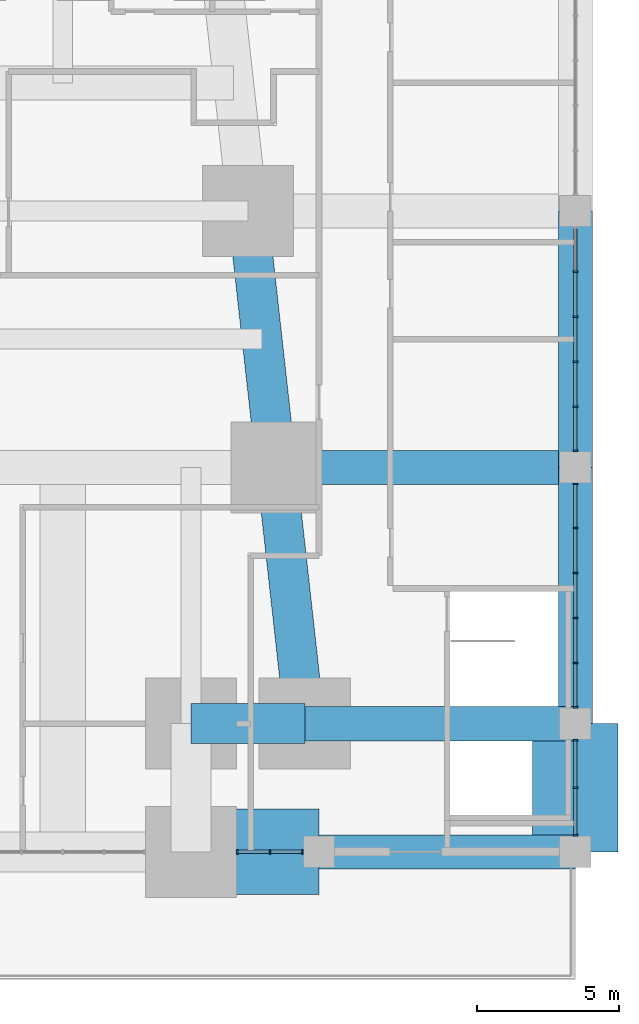
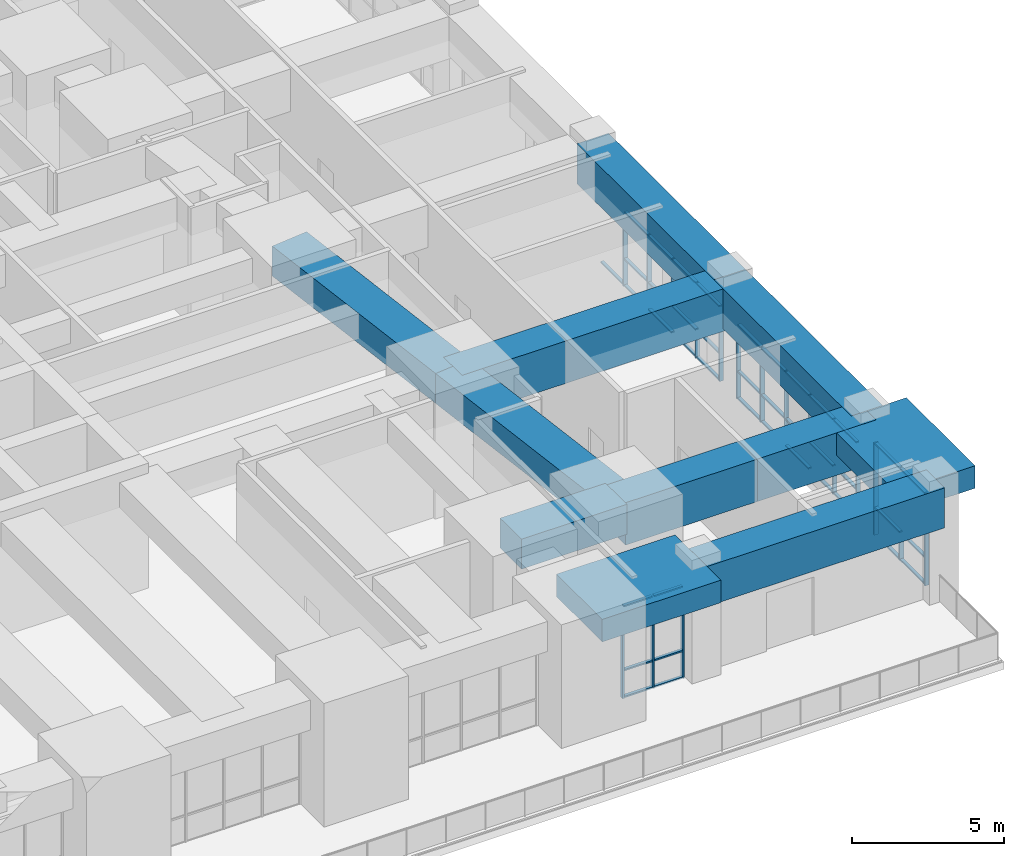
# One storey, part 11 of 22: 57 members, 11 beams, 4 elements without a shape of their own.
"""IFC4 building model written with IfcOpenShell, lengths in metres."""

from ifc_helpers import new_model, si_unit, direction, frame, origin, origin_2d, place, context, subcontext, project, spatial, rectangle, extrude, material, material_profile, profile_set, type_object, element, aggregate, save


model = new_model("IFC4")

# Units and contexts
model_context = context("Model", 3, precision=1e-05, world=origin(), true_north=direction((0.0, 1.0)))
body_context = subcontext(model_context, "Body", "Model", "MODEL_VIEW")
ifc_project = project(units=[si_unit("LENGTHUNIT", "METRE"), si_unit("AREAUNIT", "SQUARE_METRE"), si_unit("VOLUMEUNIT", "CUBIC_METRE"), si_unit("PLANEANGLEUNIT", "RADIAN"), si_unit("MASSUNIT", "GRAM", prefix="KILO")], contexts=[model_context])

# Site, building, storey
site_placement = place(None, origin())
site = spatial("IfcSite", under=ifc_project, at=site_placement, CompositionType="ELEMENT")
building_placement = place(site_placement, origin())
building = spatial("IfcBuilding", under=site, at=building_placement, Name="Kilele Tower Hotel", CompositionType="ELEMENT")
storey_placement = place(building_placement, frame((0.0, 0.0, 19.0)))
storey = spatial("IfcBuildingStorey", under=building, at=storey_placement, Name="L03", CompositionType="ELEMENT", Elevation=19.0)

# Beams
ifc_material_1 = material(Name="Concrete C60/75", Category="concrete")
ifc_material_profile_1 = material_profile(ifc_material_1, rectangle(XDim=1.199951171875, YDim=1.60009765625, at=origin_2d()))
ifc_profile_set_1 = profile_set([ifc_material_profile_1], Name="Concrete C60/75")
beam_type_1 = type_object("IfcBeamType", Name="Beam RC 1200x1600 C60/75", PredefinedType="BEAM", material=ifc_profile_set_1)
for number, where, z_axis, x_axis, name in (
    (1, (58.5, 4.5, 3.800048828125), (0.0, 1.0, 0.0), (-1.0, 0.0, 0.0), "Beam PB2 level L04"),
    (2, (58.5, 13.5, 3.800048828125), (0.0, 1.0, 0.0), (-1.0, 0.0, 0.0), "Beam PB2 level L04"),
    (3, (49.5, 0.0, 3.800048828125), (1.0, 0.0, 0.0), (0.0, 1.0, 0.0), "Beam PB2 level L04"),
):
    element("IfcBeam", number, at=place(storey_placement, frame(where, z_axis=z_axis, x_axis=x_axis)), inside=storey, type_object=beam_type_1, Name=name, PredefinedType="BEAM", context=body_context, shape_type="SweptSolid", body=[
        extrude(rectangle(XDim=1.199951171875, YDim=1.60009765625, at=origin_2d()), origin(), (0.0, 0.0, 1.0), 9.0),
    ])
ifc_material_2 = material(Name="Concrete C60/75", Category="concrete")
ifc_material_profile_2 = material_profile(ifc_material_2, rectangle(XDim=1.199951171875, YDim=1.699951171875, at=origin_2d()))
ifc_profile_set_2 = profile_set([ifc_material_profile_2], Name="Concrete C60/75")
beam_type_2 = type_object("IfcBeamType", Name="Beam RC 1200x1700 C60/75 mid span", PredefinedType="BEAM", material=ifc_profile_set_2)
beam_1_placement = place(storey_placement, frame((48.0, 13.5, 3.75), z_axis=(1.0, 0.0, 0.0), x_axis=(0.0, 1.0, 0.0)))
element("IfcBeam", 4, at=beam_1_placement, inside=storey, type_object=beam_type_2, Name="Beam PB4 level L04", PredefinedType="BEAM", context=body_context, shape_type="SweptSolid", body=[
    extrude(rectangle(XDim=1.199951171875, YDim=1.699951171875, at=origin_2d()), origin(), (0.0, 0.0, 1.0), 10.5),
])
ifc_material_3 = material(Name="Concrete C60/75", Category="concrete")
ifc_material_profile_3 = material_profile(ifc_material_3, rectangle(XDim=1.199951171875, YDim=1.699951171875, at=origin_2d()))
ifc_profile_set_3 = profile_set([ifc_material_profile_3], Name="Concrete C60/75")
beam_type_3 = type_object("IfcBeamType", Name="Beam RC 1200x1700 C60/75 short span", PredefinedType="BEAM", material=ifc_profile_set_3)
beam_2_placement = place(storey_placement, frame((49.0, 4.5, 3.75), z_axis=(1.0, 0.0, 0.0), x_axis=(0.0, 1.0, 0.0)))
element("IfcBeam", 5, at=beam_2_placement, inside=storey, type_object=beam_type_3, Name="Beam PB5 level L04", PredefinedType="BEAM", context=body_context, shape_type="SweptSolid", body=[
    extrude(rectangle(XDim=1.199951171875, YDim=1.699951171875, at=origin_2d()), origin(), (0.0, 0.0, 1.0), 5.0),
])
beam_3_placement = place(storey_placement, frame((54.0, 4.5, 3.75), z_axis=(1.0, 0.0, 0.0), x_axis=(0.0, 1.0, 0.0)))
element("IfcBeam", 6, at=beam_3_placement, inside=storey, type_object=beam_type_3, Name="Beam PB5 level L04", PredefinedType="BEAM", context=body_context, shape_type="SweptSolid", body=[
    extrude(rectangle(XDim=1.199951171875, YDim=1.699951171875, at=origin_2d()), origin(), (0.0, 0.0, 1.0), 4.5),
])
ifc_material_4 = material(Name="Concrete C60/75", Category="concrete")
ifc_material_profile_4 = material_profile(ifc_material_4, rectangle(XDim=3.0, YDim=0.89990234375, at=origin_2d()))
ifc_profile_set_4 = profile_set([ifc_material_profile_4], Name="Concrete C60/75")
beam_type_4 = type_object("IfcBeamType", Name="Beam RC 3000x900 C60/75", PredefinedType="BEAM", material=ifc_profile_set_4)
for number, where, z_axis, x_axis, name in (
    (7, (45.0, 0.0, 4.14990234375), (1.0, 0.0, 0.0), (0.0, 1.0, 0.0), "Beam PB1 level L04"),
    (8, (58.5, 0.0, 4.14990234375), (0.0, 1.0, 0.0), (-1.0, 0.0, 0.0), "Beam PB1 level L04"),
):
    element("IfcBeam", number, at=place(storey_placement, frame(where, z_axis=z_axis, x_axis=x_axis)), inside=storey, type_object=beam_type_4, Name=name, PredefinedType="BEAM", context=body_context, shape_type="SweptSolid", body=[
        extrude(rectangle(XDim=3.0, YDim=0.89990234375, at=origin_2d()), origin(), (0.0, 0.0, 1.0), 4.5),
    ])

# Curtain wall, members
ifc_material_5 = material(Name="Aluminium curtain wall, clear double glazing", Category="aluminium")
curtain_wall_type_1 = type_object("IfcCurtainWallType", Name="Podium curtain wall CW-1", PredefinedType="NOTDEFINED", material=ifc_material_5)
curtain_wall_1_placement = place(storey_placement, origin())
curtain_wall_1 = element("IfcCurtainWall", 9, at=curtain_wall_1_placement, inside=storey, type_object=curtain_wall_type_1, Name="Podium curtain wall CW-1 L03", PredefinedType="NOTDEFINED")
ifc_material_6 = material(Name="Aluminium EN AW-6063 T6", Category="aluminium")
ifc_material_profile_5 = material_profile(ifc_material_6, rectangle(XDim=0.159912109375, YDim=0.06005859375, at=origin_2d()))
ifc_profile_set_5 = profile_set([ifc_material_profile_5], Name="Aluminium EN AW-6063 T6")
member_type_1 = type_object("IfcMemberType", Name="Mullion 60x160 CW-1", PredefinedType="MULLION", material=ifc_profile_set_5)
member_1_placement = place(storey_placement, frame((46.6298828125, 0.0, 0.0), z_axis=(0.0, 0.0, 1.0), x_axis=(0.0, 1.0, 0.0)))
member_1 = element("IfcMember", 10, at=member_1_placement, type_object=member_type_1, Name="CW-1 mullion 1", PredefinedType="MULLION", context=body_context, shape_type="SweptSolid", body=[
    extrude(rectangle(XDim=0.159912109375, YDim=0.06005859375, at=origin_2d()), origin(), (0.0, 0.0, 1.0), 3.699951171875),
])
member_2_placement = place(storey_placement, frame((47.77490234375, 0.0, 0.0), z_axis=(0.0, 0.0, 1.0), x_axis=(0.0, 1.0, 0.0)))
member_2 = element("IfcMember", 11, at=member_2_placement, type_object=member_type_1, Name="CW-1 mullion 2", PredefinedType="MULLION", context=body_context, shape_type="SweptSolid", body=[
    extrude(rectangle(XDim=0.159912109375, YDim=0.06005859375, at=origin_2d()), origin(), (0.0, 0.0, 1.0), 3.699951171875),
])
member_3_placement = place(storey_placement, frame((48.919921875, 0.0, 0.0), z_axis=(0.0, 0.0, 1.0), x_axis=(0.0, 1.0, 0.0)))
member_3 = element("IfcMember", 12, at=member_3_placement, type_object=member_type_1, Name="CW-1 mullion 3", PredefinedType="MULLION", context=body_context, shape_type="SweptSolid", body=[
    extrude(rectangle(XDim=0.159912109375, YDim=0.06005859375, at=origin_2d()), origin(), (0.0, 0.0, 1.0), 3.699951171875),
])

ifc_material_7 = material(Name="Aluminium curtain wall, clear double glazing", Category="aluminium")
curtain_wall_type_2 = type_object("IfcCurtainWallType", Name="Podium side curtain wall CW-2", PredefinedType="NOTDEFINED", material=ifc_material_7)
curtain_wall_2_placement = place(storey_placement, origin())
curtain_wall_2 = element("IfcCurtainWall", 13, at=curtain_wall_2_placement, inside=storey, type_object=curtain_wall_type_2, Name="Podium side curtain wall CW-2 L03", PredefinedType="NOTDEFINED")
ifc_material_8 = material(Name="Aluminium EN AW-6063 T6", Category="aluminium")
ifc_material_profile_6 = material_profile(ifc_material_8, rectangle(XDim=0.159912109375, YDim=0.06005859375, at=origin_2d()))
ifc_profile_set_6 = profile_set([ifc_material_profile_6], Name="Aluminium EN AW-6063 T6")
member_type_2 = type_object("IfcMemberType", Name="Mullion 60x160 CW-2", PredefinedType="MULLION", material=ifc_profile_set_6)
member_4_placement = place(storey_placement, frame((58.5, 0.580078125, 0.0), z_axis=(0.0, 0.0, 1.0), x_axis=(-1.0, 0.0, 0.0)))
member_4 = element("IfcMember", 14, at=member_4_placement, type_object=member_type_2, Name="CW-2 mullion 1", PredefinedType="MULLION", context=body_context, shape_type="SweptSolid", body=[
    extrude(rectangle(XDim=0.159912109375, YDim=0.06005859375, at=origin_2d()), origin(), (0.0, 0.0, 1.0), 3.699951171875),
])
member_5_placement = place(storey_placement, frame((58.5, 2.25, 0.0), z_axis=(0.0, 0.0, 1.0), x_axis=(-1.0, 0.0, 0.0)))
member_5 = element("IfcMember", 15, at=member_5_placement, type_object=member_type_2, Name="CW-2 mullion 2", PredefinedType="MULLION", context=body_context, shape_type="SweptSolid", body=[
    extrude(rectangle(XDim=0.159912109375, YDim=0.06005859375, at=origin_2d()), origin(), (0.0, 0.0, 1.0), 3.699951171875),
])
member_6_placement = place(storey_placement, frame((58.5, 3.919921875, 0.0), z_axis=(0.0, 0.0, 1.0), x_axis=(-1.0, 0.0, 0.0)))
member_6 = element("IfcMember", 16, at=member_6_placement, type_object=member_type_2, Name="CW-2 mullion 3", PredefinedType="MULLION", context=body_context, shape_type="SweptSolid", body=[
    extrude(rectangle(XDim=0.159912109375, YDim=0.06005859375, at=origin_2d()), origin(), (0.0, 0.0, 1.0), 3.699951171875),
])

curtain_wall_3_placement = place(storey_placement, origin())
curtain_wall_3 = element("IfcCurtainWall", 17, at=curtain_wall_3_placement, inside=storey, type_object=curtain_wall_type_2, Name="Podium side curtain wall CW-2 L03", PredefinedType="NOTDEFINED")
member_7_placement = place(storey_placement, frame((58.5, 5.080078125, 0.0), z_axis=(0.0, 0.0, 1.0), x_axis=(-1.0, 0.0, 0.0)))
member_7 = element("IfcMember", 18, at=member_7_placement, type_object=member_type_2, Name="CW-2 mullion 1", PredefinedType="MULLION", context=body_context, shape_type="SweptSolid", body=[
    extrude(rectangle(XDim=0.159912109375, YDim=0.06005859375, at=origin_2d()), origin(), (0.0, 0.0, 1.0), 3.0),
])
member_8_placement = place(storey_placement, frame((58.5, 6.6298828125, 0.0), z_axis=(0.0, 0.0, 1.0), x_axis=(-1.0, 0.0, 0.0)))
member_8 = element("IfcMember", 19, at=member_8_placement, type_object=member_type_2, Name="CW-2 mullion 2", PredefinedType="MULLION", context=body_context, shape_type="SweptSolid", body=[
    extrude(rectangle(XDim=0.159912109375, YDim=0.06005859375, at=origin_2d()), origin(), (0.0, 0.0, 1.0), 3.0),
])
member_9_placement = place(storey_placement, frame((58.5, 8.2099609375, 0.0), z_axis=(0.0, 0.0, 1.0), x_axis=(-1.0, 0.0, 0.0)))
member_9 = element("IfcMember", 20, at=member_9_placement, type_object=member_type_2, Name="CW-2 mullion 3", PredefinedType="MULLION", context=body_context, shape_type="SweptSolid", body=[
    extrude(rectangle(XDim=0.159912109375, YDim=0.06005859375, at=origin_2d()), origin(), (0.0, 0.0, 1.0), 3.0),
])
member_10_placement = place(storey_placement, frame((58.5, 9.7900390625, 0.0), z_axis=(0.0, 0.0, 1.0), x_axis=(-1.0, 0.0, 0.0)))
member_10 = element("IfcMember", 21, at=member_10_placement, type_object=member_type_2, Name="CW-2 mullion 4", PredefinedType="MULLION", context=body_context, shape_type="SweptSolid", body=[
    extrude(rectangle(XDim=0.159912109375, YDim=0.06005859375, at=origin_2d()), origin(), (0.0, 0.0, 1.0), 3.0),
])
member_11_placement = place(storey_placement, frame((58.5, 11.3701171875, 0.0), z_axis=(0.0, 0.0, 1.0), x_axis=(-1.0, 0.0, 0.0)))
member_11 = element("IfcMember", 22, at=member_11_placement, type_object=member_type_2, Name="CW-2 mullion 5", PredefinedType="MULLION", context=body_context, shape_type="SweptSolid", body=[
    extrude(rectangle(XDim=0.159912109375, YDim=0.06005859375, at=origin_2d()), origin(), (0.0, 0.0, 1.0), 3.0),
])
member_12_placement = place(storey_placement, frame((58.5, 12.919921875, 0.0), z_axis=(0.0, 0.0, 1.0), x_axis=(-1.0, 0.0, 0.0)))
member_12 = element("IfcMember", 23, at=member_12_placement, type_object=member_type_2, Name="CW-2 mullion 6", PredefinedType="MULLION", context=body_context, shape_type="SweptSolid", body=[
    extrude(rectangle(XDim=0.159912109375, YDim=0.06005859375, at=origin_2d()), origin(), (0.0, 0.0, 1.0), 3.0),
])

curtain_wall_4_placement = place(storey_placement, origin())
curtain_wall_4 = element("IfcCurtainWall", 24, at=curtain_wall_4_placement, inside=storey, type_object=curtain_wall_type_2, Name="Podium side curtain wall CW-2 L03", PredefinedType="NOTDEFINED")
member_13_placement = place(storey_placement, frame((58.5, 14.080078125, 0.0), z_axis=(0.0, 0.0, 1.0), x_axis=(-1.0, 0.0, 0.0)))
member_13 = element("IfcMember", 25, at=member_13_placement, type_object=member_type_2, Name="CW-2 mullion 1", PredefinedType="MULLION", context=body_context, shape_type="SweptSolid", body=[
    extrude(rectangle(XDim=0.159912109375, YDim=0.06005859375, at=origin_2d()), origin(), (0.0, 0.0, 1.0), 3.0),
])
member_14_placement = place(storey_placement, frame((58.5, 15.6298828125, 0.0), z_axis=(0.0, 0.0, 1.0), x_axis=(-1.0, 0.0, 0.0)))
member_14 = element("IfcMember", 26, at=member_14_placement, type_object=member_type_2, Name="CW-2 mullion 2", PredefinedType="MULLION", context=body_context, shape_type="SweptSolid", body=[
    extrude(rectangle(XDim=0.159912109375, YDim=0.06005859375, at=origin_2d()), origin(), (0.0, 0.0, 1.0), 3.0),
])
member_15_placement = place(storey_placement, frame((58.5, 17.2099609375, 0.0), z_axis=(0.0, 0.0, 1.0), x_axis=(-1.0, 0.0, 0.0)))
member_15 = element("IfcMember", 27, at=member_15_placement, type_object=member_type_2, Name="CW-2 mullion 3", PredefinedType="MULLION", context=body_context, shape_type="SweptSolid", body=[
    extrude(rectangle(XDim=0.159912109375, YDim=0.06005859375, at=origin_2d()), origin(), (0.0, 0.0, 1.0), 3.0),
])
member_16_placement = place(storey_placement, frame((58.5, 18.7900390625, 0.0), z_axis=(0.0, 0.0, 1.0), x_axis=(-1.0, 0.0, 0.0)))
member_16 = element("IfcMember", 28, at=member_16_placement, type_object=member_type_2, Name="CW-2 mullion 4", PredefinedType="MULLION", context=body_context, shape_type="SweptSolid", body=[
    extrude(rectangle(XDim=0.159912109375, YDim=0.06005859375, at=origin_2d()), origin(), (0.0, 0.0, 1.0), 3.0),
])
member_17_placement = place(storey_placement, frame((58.5, 20.3701171875, 0.0), z_axis=(0.0, 0.0, 1.0), x_axis=(-1.0, 0.0, 0.0)))
member_17 = element("IfcMember", 29, at=member_17_placement, type_object=member_type_2, Name="CW-2 mullion 5", PredefinedType="MULLION", context=body_context, shape_type="SweptSolid", body=[
    extrude(rectangle(XDim=0.159912109375, YDim=0.06005859375, at=origin_2d()), origin(), (0.0, 0.0, 1.0), 3.0),
])

# Beams
ifc_material_9 = material(Name="Concrete C60/75", Category="concrete")
ifc_material_profile_7 = material_profile(ifc_material_9, rectangle(XDim=1.39990234375, YDim=1.199951171875, at=origin_2d()))
ifc_profile_set_7 = profile_set([ifc_material_profile_7], Name="Concrete C60/75")
beam_type_5 = type_object("IfcBeamType", Name="Spandrel RC 1400x1200 C60/75", PredefinedType="SPANDREL", material=ifc_profile_set_7)
beam_4_placement = place(storey_placement, frame((45.0, 4.5, 4.0), z_axis=(1.0, 0.0, 0.0), x_axis=(0.0, 1.0, 0.0)))
element("IfcBeam", 30, at=beam_4_placement, inside=storey, type_object=beam_type_5, Name="Spandrel SP10 level L04", PredefinedType="SPANDREL", context=body_context, shape_type="SweptSolid", body=[
    extrude(rectangle(XDim=1.39990234375, YDim=1.199951171875, at=origin_2d()), origin(), (0.0, 0.0, 1.0), 4.0),
])
for number, where, z_axis, x_axis, name in (
    (31, (49.0, 4.5, 4.0), (-0.110431526075, 0.993883734674, 0.0), (-0.993883734674, -0.110431526075, 0.0), "Spandrel SP10 level L04"),
    (32, (48.0, 13.5, 4.0), (-0.110431526075, 0.993883734674, 0.0), (-0.993883734674, -0.110431526075, 0.0), "Spandrel SP10 level L04"),
):
    element("IfcBeam", number, at=place(storey_placement, frame(where, z_axis=z_axis, x_axis=x_axis)), inside=storey, type_object=beam_type_5, Name=name, PredefinedType="SPANDREL", context=body_context, shape_type="SweptSolid", body=[
        extrude(rectangle(XDim=1.39990234375, YDim=1.199951171875, at=origin_2d()), origin(), (0.0, 0.0, 1.0), 9.055419921875),
    ])

# Member
ifc_material_10 = material(Name="Aluminium EN AW-6063 T6", Category="aluminium")
ifc_material_profile_8 = material_profile(ifc_material_10, rectangle(XDim=0.1201171875, YDim=0.06005859375, at=origin_2d()))
ifc_profile_set_8 = profile_set([ifc_material_profile_8], Name="Aluminium EN AW-6063 T6")
member_type_3 = type_object("IfcMemberType", Name="Transom 60x120 CW-1", PredefinedType="USERDEFINED", material=ifc_profile_set_8)
member_18_placement = place(storey_placement, frame((46.659912109375, 0.0, 0.030029296875), z_axis=(1.0, 0.0, 0.0), x_axis=(0.0, 1.0, 0.0)))
member_18 = element("IfcMember", 33, at=member_18_placement, type_object=member_type_3, Name="CW-1 transom 1.1", ObjectType="TRANSOM", PredefinedType="USERDEFINED", context=body_context, shape_type="SweptSolid", body=[
    extrude(rectangle(XDim=0.1201171875, YDim=0.06005859375, at=origin_2d()), origin(), (0.0, 0.0, 1.0), 1.085205078125),
])

member_19_placement = place(storey_placement, frame((46.659912109375, 0.0, 1.10009765625), z_axis=(1.0, 0.0, 0.0), x_axis=(0.0, 1.0, 0.0)))
member_19 = element("IfcMember", 34, at=member_19_placement, type_object=member_type_3, Name="CW-1 transom 1.2", ObjectType="TRANSOM", PredefinedType="USERDEFINED", context=body_context, shape_type="SweptSolid", body=[
    extrude(rectangle(XDim=0.1201171875, YDim=0.06005859375, at=origin_2d()), origin(), (0.0, 0.0, 1.0), 1.085205078125),
])

member_20_placement = place(storey_placement, frame((46.659912109375, 0.0, 3.669921875), z_axis=(1.0, 0.0, 0.0), x_axis=(0.0, 1.0, 0.0)))
member_20 = element("IfcMember", 35, at=member_20_placement, type_object=member_type_3, Name="CW-1 transom 1.3", ObjectType="TRANSOM", PredefinedType="USERDEFINED", context=body_context, shape_type="SweptSolid", body=[
    extrude(rectangle(XDim=0.1201171875, YDim=0.06005859375, at=origin_2d()), origin(), (0.0, 0.0, 1.0), 1.085205078125),
])

member_21_placement = place(storey_placement, frame((47.804931640625, 0.0, 0.030029296875), z_axis=(1.0, 0.0, 0.0), x_axis=(0.0, 1.0, 0.0)))
member_21 = element("IfcMember", 36, at=member_21_placement, type_object=member_type_3, Name="CW-1 transom 2.1", ObjectType="TRANSOM", PredefinedType="USERDEFINED", context=body_context, shape_type="SweptSolid", body=[
    extrude(rectangle(XDim=0.1201171875, YDim=0.06005859375, at=origin_2d()), origin(), (0.0, 0.0, 1.0), 1.0849609375),
])

member_22_placement = place(storey_placement, frame((47.804931640625, 0.0, 1.10009765625), z_axis=(1.0, 0.0, 0.0), x_axis=(0.0, 1.0, 0.0)))
member_22 = element("IfcMember", 37, at=member_22_placement, type_object=member_type_3, Name="CW-1 transom 2.2", ObjectType="TRANSOM", PredefinedType="USERDEFINED", context=body_context, shape_type="SweptSolid", body=[
    extrude(rectangle(XDim=0.1201171875, YDim=0.06005859375, at=origin_2d()), origin(), (0.0, 0.0, 1.0), 1.0849609375),
])

member_23_placement = place(storey_placement, frame((47.804931640625, 0.0, 3.669921875), z_axis=(1.0, 0.0, 0.0), x_axis=(0.0, 1.0, 0.0)))
member_23 = element("IfcMember", 38, at=member_23_placement, type_object=member_type_3, Name="CW-1 transom 2.3", ObjectType="TRANSOM", PredefinedType="USERDEFINED", context=body_context, shape_type="SweptSolid", body=[
    extrude(rectangle(XDim=0.1201171875, YDim=0.06005859375, at=origin_2d()), origin(), (0.0, 0.0, 1.0), 1.0849609375),
])

aggregate(curtain_wall_1, [member_1, member_2, member_3, member_18, member_19, member_20, member_21, member_22, member_23])

ifc_material_11 = material(Name="Aluminium EN AW-6063 T6", Category="aluminium")
ifc_material_profile_9 = material_profile(ifc_material_11, rectangle(XDim=0.1201171875, YDim=0.06005859375, at=origin_2d()))
ifc_profile_set_9 = profile_set([ifc_material_profile_9], Name="Aluminium EN AW-6063 T6")
member_type_4 = type_object("IfcMemberType", Name="Transom 60x120 CW-2", PredefinedType="USERDEFINED", material=ifc_profile_set_9)
member_24_placement = place(storey_placement, frame((58.5, 0.610107421875, 0.030029296875), z_axis=(0.0, 1.0, 0.0), x_axis=(-1.0, 0.0, 0.0)))
member_24 = element("IfcMember", 39, at=member_24_placement, type_object=member_type_4, Name="CW-2 transom 1.1", ObjectType="TRANSOM", PredefinedType="USERDEFINED", context=body_context, shape_type="SweptSolid", body=[
    extrude(rectangle(XDim=0.1201171875, YDim=0.06005859375, at=origin_2d()), origin(), (0.0, 0.0, 1.0), 1.60986328125),
])

member_25_placement = place(storey_placement, frame((58.5, 0.610107421875, 1.10009765625), z_axis=(0.0, 1.0, 0.0), x_axis=(-1.0, 0.0, 0.0)))
member_25 = element("IfcMember", 40, at=member_25_placement, type_object=member_type_4, Name="CW-2 transom 1.2", ObjectType="TRANSOM", PredefinedType="USERDEFINED", context=body_context, shape_type="SweptSolid", body=[
    extrude(rectangle(XDim=0.1201171875, YDim=0.06005859375, at=origin_2d()), origin(), (0.0, 0.0, 1.0), 1.60986328125),
])

member_26_placement = place(storey_placement, frame((58.5, 0.610107421875, 3.669921875), z_axis=(0.0, 1.0, 0.0), x_axis=(-1.0, 0.0, 0.0)))
member_26 = element("IfcMember", 41, at=member_26_placement, type_object=member_type_4, Name="CW-2 transom 1.3", ObjectType="TRANSOM", PredefinedType="USERDEFINED", context=body_context, shape_type="SweptSolid", body=[
    extrude(rectangle(XDim=0.1201171875, YDim=0.06005859375, at=origin_2d()), origin(), (0.0, 0.0, 1.0), 1.60986328125),
])

member_27_placement = place(storey_placement, frame((58.5, 2.280029296875, 0.030029296875), z_axis=(0.0, 1.0, 0.0), x_axis=(-1.0, 0.0, 0.0)))
member_27 = element("IfcMember", 42, at=member_27_placement, type_object=member_type_4, Name="CW-2 transom 2.1", ObjectType="TRANSOM", PredefinedType="USERDEFINED", context=body_context, shape_type="SweptSolid", body=[
    extrude(rectangle(XDim=0.1201171875, YDim=0.06005859375, at=origin_2d()), origin(), (0.0, 0.0, 1.0), 1.60986328125),
])

member_28_placement = place(storey_placement, frame((58.5, 2.280029296875, 1.10009765625), z_axis=(0.0, 1.0, 0.0), x_axis=(-1.0, 0.0, 0.0)))
member_28 = element("IfcMember", 43, at=member_28_placement, type_object=member_type_4, Name="CW-2 transom 2.2", ObjectType="TRANSOM", PredefinedType="USERDEFINED", context=body_context, shape_type="SweptSolid", body=[
    extrude(rectangle(XDim=0.1201171875, YDim=0.06005859375, at=origin_2d()), origin(), (0.0, 0.0, 1.0), 1.60986328125),
])

member_29_placement = place(storey_placement, frame((58.5, 2.280029296875, 3.669921875), z_axis=(0.0, 1.0, 0.0), x_axis=(-1.0, 0.0, 0.0)))
member_29 = element("IfcMember", 44, at=member_29_placement, type_object=member_type_4, Name="CW-2 transom 2.3", ObjectType="TRANSOM", PredefinedType="USERDEFINED", context=body_context, shape_type="SweptSolid", body=[
    extrude(rectangle(XDim=0.1201171875, YDim=0.06005859375, at=origin_2d()), origin(), (0.0, 0.0, 1.0), 1.60986328125),
])

aggregate(curtain_wall_2, [member_4, member_5, member_6, member_24, member_25, member_26, member_27, member_28, member_29])

member_30_placement = place(storey_placement, frame((58.5, 5.110107421875, 0.030029296875), z_axis=(0.0, 1.0, 0.0), x_axis=(-1.0, 0.0, 0.0)))
member_30 = element("IfcMember", 45, at=member_30_placement, type_object=member_type_4, Name="CW-2 transom 1.1", ObjectType="TRANSOM", PredefinedType="USERDEFINED", context=body_context, shape_type="SweptSolid", body=[
    extrude(rectangle(XDim=0.1201171875, YDim=0.06005859375, at=origin_2d()), origin(), (0.0, 0.0, 1.0), 1.489990234375),
])

member_31_placement = place(storey_placement, frame((58.5, 5.110107421875, 1.10009765625), z_axis=(0.0, 1.0, 0.0), x_axis=(-1.0, 0.0, 0.0)))
member_31 = element("IfcMember", 46, at=member_31_placement, type_object=member_type_4, Name="CW-2 transom 1.2", ObjectType="TRANSOM", PredefinedType="USERDEFINED", context=body_context, shape_type="SweptSolid", body=[
    extrude(rectangle(XDim=0.1201171875, YDim=0.06005859375, at=origin_2d()), origin(), (0.0, 0.0, 1.0), 1.489990234375),
])

member_32_placement = place(storey_placement, frame((58.5, 5.110107421875, 2.969970703125), z_axis=(0.0, 1.0, 0.0), x_axis=(-1.0, 0.0, 0.0)))
member_32 = element("IfcMember", 47, at=member_32_placement, type_object=member_type_4, Name="CW-2 transom 1.3", ObjectType="TRANSOM", PredefinedType="USERDEFINED", context=body_context, shape_type="SweptSolid", body=[
    extrude(rectangle(XDim=0.1201171875, YDim=0.06005859375, at=origin_2d()), origin(), (0.0, 0.0, 1.0), 1.489990234375),
])

member_33_placement = place(storey_placement, frame((58.5, 6.659912109375, 0.030029296875), z_axis=(0.0, 1.0, 0.0), x_axis=(-1.0, 0.0, 0.0)))
member_33 = element("IfcMember", 48, at=member_33_placement, type_object=member_type_4, Name="CW-2 transom 2.1", ObjectType="TRANSOM", PredefinedType="USERDEFINED", context=body_context, shape_type="SweptSolid", body=[
    extrude(rectangle(XDim=0.1201171875, YDim=0.06005859375, at=origin_2d()), origin(), (0.0, 0.0, 1.0), 1.52001953125),
])

member_34_placement = place(storey_placement, frame((58.5, 6.659912109375, 1.10009765625), z_axis=(0.0, 1.0, 0.0), x_axis=(-1.0, 0.0, 0.0)))
member_34 = element("IfcMember", 49, at=member_34_placement, type_object=member_type_4, Name="CW-2 transom 2.2", ObjectType="TRANSOM", PredefinedType="USERDEFINED", context=body_context, shape_type="SweptSolid", body=[
    extrude(rectangle(XDim=0.1201171875, YDim=0.06005859375, at=origin_2d()), origin(), (0.0, 0.0, 1.0), 1.52001953125),
])

member_35_placement = place(storey_placement, frame((58.5, 6.659912109375, 2.969970703125), z_axis=(0.0, 1.0, 0.0), x_axis=(-1.0, 0.0, 0.0)))
member_35 = element("IfcMember", 50, at=member_35_placement, type_object=member_type_4, Name="CW-2 transom 2.3", ObjectType="TRANSOM", PredefinedType="USERDEFINED", context=body_context, shape_type="SweptSolid", body=[
    extrude(rectangle(XDim=0.1201171875, YDim=0.06005859375, at=origin_2d()), origin(), (0.0, 0.0, 1.0), 1.52001953125),
])

member_36_placement = place(storey_placement, frame((58.5, 8.239990234375, 0.030029296875), z_axis=(0.0, 1.0, 0.0), x_axis=(-1.0, 0.0, 0.0)))
member_36 = element("IfcMember", 51, at=member_36_placement, type_object=member_type_4, Name="CW-2 transom 3.1", ObjectType="TRANSOM", PredefinedType="USERDEFINED", context=body_context, shape_type="SweptSolid", body=[
    extrude(rectangle(XDim=0.1201171875, YDim=0.06005859375, at=origin_2d()), origin(), (0.0, 0.0, 1.0), 1.52001953125),
])

member_37_placement = place(storey_placement, frame((58.5, 8.239990234375, 1.10009765625), z_axis=(0.0, 1.0, 0.0), x_axis=(-1.0, 0.0, 0.0)))
member_37 = element("IfcMember", 52, at=member_37_placement, type_object=member_type_4, Name="CW-2 transom 3.2", ObjectType="TRANSOM", PredefinedType="USERDEFINED", context=body_context, shape_type="SweptSolid", body=[
    extrude(rectangle(XDim=0.1201171875, YDim=0.06005859375, at=origin_2d()), origin(), (0.0, 0.0, 1.0), 1.52001953125),
])

member_38_placement = place(storey_placement, frame((58.5, 8.239990234375, 2.969970703125), z_axis=(0.0, 1.0, 0.0), x_axis=(-1.0, 0.0, 0.0)))
member_38 = element("IfcMember", 53, at=member_38_placement, type_object=member_type_4, Name="CW-2 transom 3.3", ObjectType="TRANSOM", PredefinedType="USERDEFINED", context=body_context, shape_type="SweptSolid", body=[
    extrude(rectangle(XDim=0.1201171875, YDim=0.06005859375, at=origin_2d()), origin(), (0.0, 0.0, 1.0), 1.52001953125),
])

member_39_placement = place(storey_placement, frame((58.5, 9.820068359375, 0.030029296875), z_axis=(0.0, 1.0, 0.0), x_axis=(-1.0, 0.0, 0.0)))
member_39 = element("IfcMember", 54, at=member_39_placement, type_object=member_type_4, Name="CW-2 transom 4.1", ObjectType="TRANSOM", PredefinedType="USERDEFINED", context=body_context, shape_type="SweptSolid", body=[
    extrude(rectangle(XDim=0.1201171875, YDim=0.06005859375, at=origin_2d()), origin(), (0.0, 0.0, 1.0), 1.52001953125),
])

member_40_placement = place(storey_placement, frame((58.5, 9.820068359375, 1.10009765625), z_axis=(0.0, 1.0, 0.0), x_axis=(-1.0, 0.0, 0.0)))
member_40 = element("IfcMember", 55, at=member_40_placement, type_object=member_type_4, Name="CW-2 transom 4.2", ObjectType="TRANSOM", PredefinedType="USERDEFINED", context=body_context, shape_type="SweptSolid", body=[
    extrude(rectangle(XDim=0.1201171875, YDim=0.06005859375, at=origin_2d()), origin(), (0.0, 0.0, 1.0), 1.52001953125),
])

member_41_placement = place(storey_placement, frame((58.5, 9.820068359375, 2.969970703125), z_axis=(0.0, 1.0, 0.0), x_axis=(-1.0, 0.0, 0.0)))
member_41 = element("IfcMember", 56, at=member_41_placement, type_object=member_type_4, Name="CW-2 transom 4.3", ObjectType="TRANSOM", PredefinedType="USERDEFINED", context=body_context, shape_type="SweptSolid", body=[
    extrude(rectangle(XDim=0.1201171875, YDim=0.06005859375, at=origin_2d()), origin(), (0.0, 0.0, 1.0), 1.52001953125),
])

member_42_placement = place(storey_placement, frame((58.5, 11.39990234375, 0.030029296875), z_axis=(0.0, 1.0, 0.0), x_axis=(-1.0, 0.0, 0.0)))
member_42 = element("IfcMember", 57, at=member_42_placement, type_object=member_type_4, Name="CW-2 transom 5.1", ObjectType="TRANSOM", PredefinedType="USERDEFINED", context=body_context, shape_type="SweptSolid", body=[
    extrude(rectangle(XDim=0.1201171875, YDim=0.06005859375, at=origin_2d()), origin(), (0.0, 0.0, 1.0), 1.489990234375),
])

member_43_placement = place(storey_placement, frame((58.5, 11.39990234375, 1.10009765625), z_axis=(0.0, 1.0, 0.0), x_axis=(-1.0, 0.0, 0.0)))
member_43 = element("IfcMember", 58, at=member_43_placement, type_object=member_type_4, Name="CW-2 transom 5.2", ObjectType="TRANSOM", PredefinedType="USERDEFINED", context=body_context, shape_type="SweptSolid", body=[
    extrude(rectangle(XDim=0.1201171875, YDim=0.06005859375, at=origin_2d()), origin(), (0.0, 0.0, 1.0), 1.489990234375),
])

member_44_placement = place(storey_placement, frame((58.5, 11.39990234375, 2.969970703125), z_axis=(0.0, 1.0, 0.0), x_axis=(-1.0, 0.0, 0.0)))
member_44 = element("IfcMember", 59, at=member_44_placement, type_object=member_type_4, Name="CW-2 transom 5.3", ObjectType="TRANSOM", PredefinedType="USERDEFINED", context=body_context, shape_type="SweptSolid", body=[
    extrude(rectangle(XDim=0.1201171875, YDim=0.06005859375, at=origin_2d()), origin(), (0.0, 0.0, 1.0), 1.489990234375),
])

aggregate(curtain_wall_3, [member_7, member_8, member_9, member_10, member_11, member_12, member_30, member_31, member_32, member_33, member_34, member_35, member_36, member_37, member_38, member_39, member_40, member_41, member_42, member_43, member_44])

member_45_placement = place(storey_placement, frame((58.5, 14.110107421875, 0.030029296875), z_axis=(0.0, 1.0, 0.0), x_axis=(-1.0, 0.0, 0.0)))
member_45 = element("IfcMember", 60, at=member_45_placement, type_object=member_type_4, Name="CW-2 transom 1.1", ObjectType="TRANSOM", PredefinedType="USERDEFINED", context=body_context, shape_type="SweptSolid", body=[
    extrude(rectangle(XDim=0.1201171875, YDim=0.06005859375, at=origin_2d()), origin(), (0.0, 0.0, 1.0), 1.489990234375),
])

member_46_placement = place(storey_placement, frame((58.5, 14.110107421875, 1.10009765625), z_axis=(0.0, 1.0, 0.0), x_axis=(-1.0, 0.0, 0.0)))
member_46 = element("IfcMember", 61, at=member_46_placement, type_object=member_type_4, Name="CW-2 transom 1.2", ObjectType="TRANSOM", PredefinedType="USERDEFINED", context=body_context, shape_type="SweptSolid", body=[
    extrude(rectangle(XDim=0.1201171875, YDim=0.06005859375, at=origin_2d()), origin(), (0.0, 0.0, 1.0), 1.489990234375),
])

member_47_placement = place(storey_placement, frame((58.5, 14.110107421875, 2.969970703125), z_axis=(0.0, 1.0, 0.0), x_axis=(-1.0, 0.0, 0.0)))
member_47 = element("IfcMember", 62, at=member_47_placement, type_object=member_type_4, Name="CW-2 transom 1.3", ObjectType="TRANSOM", PredefinedType="USERDEFINED", context=body_context, shape_type="SweptSolid", body=[
    extrude(rectangle(XDim=0.1201171875, YDim=0.06005859375, at=origin_2d()), origin(), (0.0, 0.0, 1.0), 1.489990234375),
])

member_48_placement = place(storey_placement, frame((58.5, 15.659912109375, 0.030029296875), z_axis=(0.0, 1.0, 0.0), x_axis=(-1.0, 0.0, 0.0)))
member_48 = element("IfcMember", 63, at=member_48_placement, type_object=member_type_4, Name="CW-2 transom 2.1", ObjectType="TRANSOM", PredefinedType="USERDEFINED", context=body_context, shape_type="SweptSolid", body=[
    extrude(rectangle(XDim=0.1201171875, YDim=0.06005859375, at=origin_2d()), origin(), (0.0, 0.0, 1.0), 1.52001953125),
])

member_49_placement = place(storey_placement, frame((58.5, 15.659912109375, 1.10009765625), z_axis=(0.0, 1.0, 0.0), x_axis=(-1.0, 0.0, 0.0)))
member_49 = element("IfcMember", 64, at=member_49_placement, type_object=member_type_4, Name="CW-2 transom 2.2", ObjectType="TRANSOM", PredefinedType="USERDEFINED", context=body_context, shape_type="SweptSolid", body=[
    extrude(rectangle(XDim=0.1201171875, YDim=0.06005859375, at=origin_2d()), origin(), (0.0, 0.0, 1.0), 1.52001953125),
])

member_50_placement = place(storey_placement, frame((58.5, 15.659912109375, 2.969970703125), z_axis=(0.0, 1.0, 0.0), x_axis=(-1.0, 0.0, 0.0)))
member_50 = element("IfcMember", 65, at=member_50_placement, type_object=member_type_4, Name="CW-2 transom 2.3", ObjectType="TRANSOM", PredefinedType="USERDEFINED", context=body_context, shape_type="SweptSolid", body=[
    extrude(rectangle(XDim=0.1201171875, YDim=0.06005859375, at=origin_2d()), origin(), (0.0, 0.0, 1.0), 1.52001953125),
])

member_51_placement = place(storey_placement, frame((58.5, 17.239990234375, 0.030029296875), z_axis=(0.0, 1.0, 0.0), x_axis=(-1.0, 0.0, 0.0)))
member_51 = element("IfcMember", 66, at=member_51_placement, type_object=member_type_4, Name="CW-2 transom 3.1", ObjectType="TRANSOM", PredefinedType="USERDEFINED", context=body_context, shape_type="SweptSolid", body=[
    extrude(rectangle(XDim=0.1201171875, YDim=0.06005859375, at=origin_2d()), origin(), (0.0, 0.0, 1.0), 1.52001953125),
])

member_52_placement = place(storey_placement, frame((58.5, 17.239990234375, 1.10009765625), z_axis=(0.0, 1.0, 0.0), x_axis=(-1.0, 0.0, 0.0)))
member_52 = element("IfcMember", 67, at=member_52_placement, type_object=member_type_4, Name="CW-2 transom 3.2", ObjectType="TRANSOM", PredefinedType="USERDEFINED", context=body_context, shape_type="SweptSolid", body=[
    extrude(rectangle(XDim=0.1201171875, YDim=0.06005859375, at=origin_2d()), origin(), (0.0, 0.0, 1.0), 1.52001953125),
])

member_53_placement = place(storey_placement, frame((58.5, 17.239990234375, 2.969970703125), z_axis=(0.0, 1.0, 0.0), x_axis=(-1.0, 0.0, 0.0)))
member_53 = element("IfcMember", 68, at=member_53_placement, type_object=member_type_4, Name="CW-2 transom 3.3", ObjectType="TRANSOM", PredefinedType="USERDEFINED", context=body_context, shape_type="SweptSolid", body=[
    extrude(rectangle(XDim=0.1201171875, YDim=0.06005859375, at=origin_2d()), origin(), (0.0, 0.0, 1.0), 1.52001953125),
])

member_54_placement = place(storey_placement, frame((58.5, 18.820068359375, 0.030029296875), z_axis=(0.0, 1.0, 0.0), x_axis=(-1.0, 0.0, 0.0)))
member_54 = element("IfcMember", 69, at=member_54_placement, type_object=member_type_4, Name="CW-2 transom 4.1", ObjectType="TRANSOM", PredefinedType="USERDEFINED", context=body_context, shape_type="SweptSolid", body=[
    extrude(rectangle(XDim=0.1201171875, YDim=0.06005859375, at=origin_2d()), origin(), (0.0, 0.0, 1.0), 1.52001953125),
])

member_55_placement = place(storey_placement, frame((58.5, 18.820068359375, 1.10009765625), z_axis=(0.0, 1.0, 0.0), x_axis=(-1.0, 0.0, 0.0)))
member_55 = element("IfcMember", 70, at=member_55_placement, type_object=member_type_4, Name="CW-2 transom 4.2", ObjectType="TRANSOM", PredefinedType="USERDEFINED", context=body_context, shape_type="SweptSolid", body=[
    extrude(rectangle(XDim=0.1201171875, YDim=0.06005859375, at=origin_2d()), origin(), (0.0, 0.0, 1.0), 1.52001953125),
])

member_56_placement = place(storey_placement, frame((58.5, 18.820068359375, 2.969970703125), z_axis=(0.0, 1.0, 0.0), x_axis=(-1.0, 0.0, 0.0)))
member_56 = element("IfcMember", 71, at=member_56_placement, type_object=member_type_4, Name="CW-2 transom 4.3", ObjectType="TRANSOM", PredefinedType="USERDEFINED", context=body_context, shape_type="SweptSolid", body=[
    extrude(rectangle(XDim=0.1201171875, YDim=0.06005859375, at=origin_2d()), origin(), (0.0, 0.0, 1.0), 1.52001953125),
])

member_57_placement = place(storey_placement, frame((58.5, 20.39990234375, 0.030029296875), z_axis=(0.0, 1.0, 0.0), x_axis=(-1.0, 0.0, 0.0)))
member_57 = element("IfcMember", 72, at=member_57_placement, type_object=member_type_4, Name="CW-2 transom 5.1", ObjectType="TRANSOM", PredefinedType="USERDEFINED", context=body_context, shape_type="SweptSolid", body=[
    extrude(rectangle(XDim=0.1201171875, YDim=0.06005859375, at=origin_2d()), origin(), (0.0, 0.0, 1.0), 1.489990234375),
])

aggregate(curtain_wall_4, [member_13, member_14, member_15, member_16, member_17, member_45, member_46, member_47, member_48, member_49, member_50, member_51, member_52, member_53, member_54, member_55, member_56, member_57])

save(model, "model.ifc")
